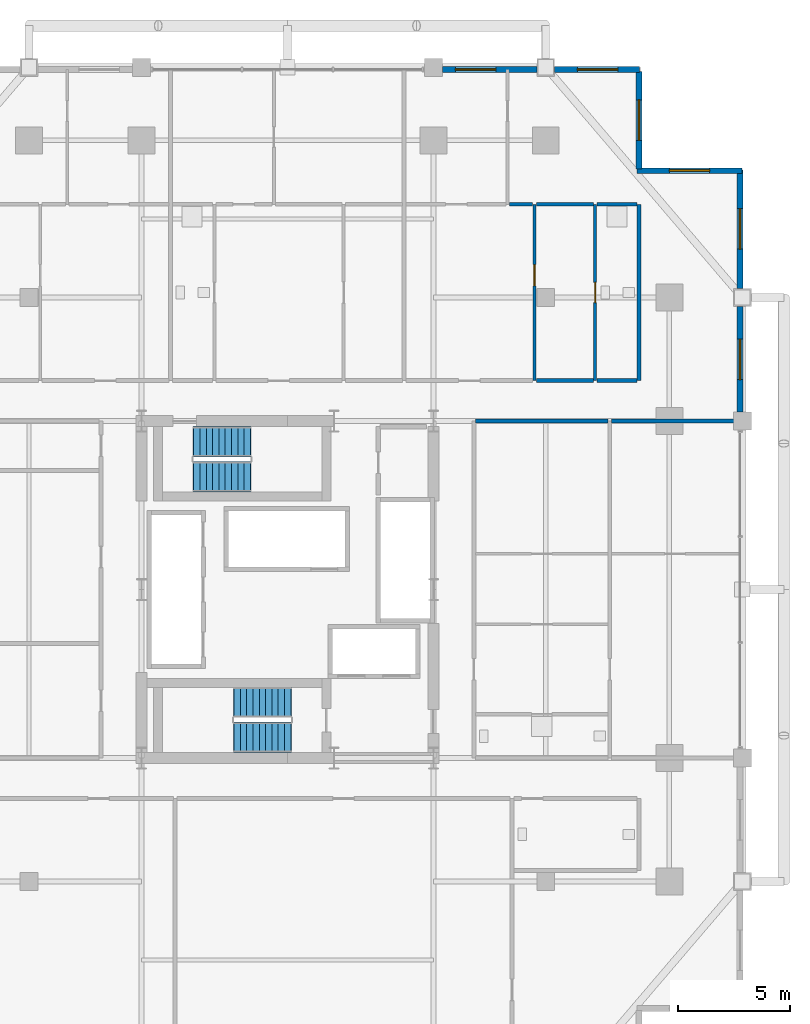
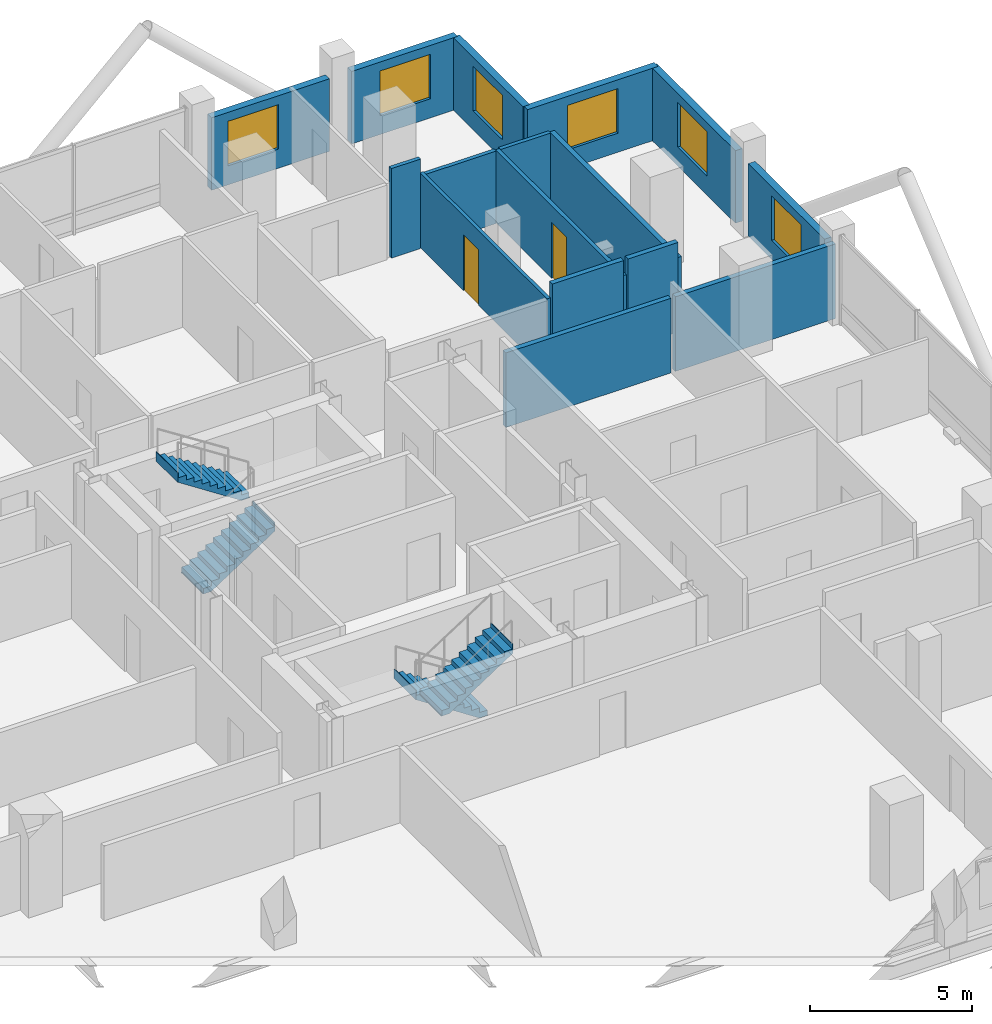
# One storey, part 22 of 24: 16 walls, 6 windows, 4 stair flights, 2 doors, 8 openings, 2 elements without a shape of their own.
"""IFC4 building model written with IfcOpenShell, lengths in metres."""

import ifcopenshell
import ifcopenshell.guid

model = None  # the IFC model being written
_history = None  # IfcOwnerHistory: only IFC2X3 demands one
_inside = {}  # id of a spatial element -> (the spatial element, [elements in it])
_under = {}  # id of a project, library or spatial element -> (it, [spatial elements below it])
_declared = {}  # id of a project -> (the project, [libraries it declares])
_typed = {}  # id of a type object -> (the type object, [elements of that type])
_made_of = {}  # id of a material, layer set ... -> (it, [elements and type objects made of it])


def new_model(schema):
    """Start an empty IFC model of exactly this schema.

    Asked for "IFC4X3", IfcOpenShell would pick the latest addendum, in which some entities
    have other attributes; the version numbers below select the first issue.
    IFC2X3 requires an IfcOwnerHistory on every rooted entity: one is made here for all.
    """
    global model, _history
    if schema == "IFC4X3":
        model = ifcopenshell.file(schema_version=(4, 3, 0, 0))
    else:
        model = ifcopenshell.file(schema=schema)
    _inside.clear()
    _under.clear()
    _declared.clear()
    _typed.clear()
    _made_of.clear()
    _history = None
    if model.schema == "IFC2X3":
        org = make("IfcOrganization", Name="unknown")
        user = make(
            "IfcPersonAndOrganization",
            ThePerson=make("IfcPerson", FamilyName="unknown"),
            TheOrganization=org,
        )
        app = make(
            "IfcApplication",
            ApplicationDeveloper=org,
            Version="unknown",
            ApplicationFullName="unknown",
            ApplicationIdentifier="unknown",
        )
        _history = make(
            "IfcOwnerHistory",
            OwningUser=user,
            OwningApplication=app,
            ChangeAction="ADDED",
            CreationDate=0,
        )
    return model


def make(cls, **values):
    """One entity of the class cls with the attributes given. An attribute that is None is left unset."""
    return model.create_entity(
        cls, **{name: value for name, value in values.items() if value is not None}
    )


def rooted(cls, **values):
    """An entity with a GlobalId (a new one), such as an element, a storey or a relation."""
    return make(cls, GlobalId=ifcopenshell.guid.new(), OwnerHistory=_history, **values)


def si_unit(unit_type, name, prefix=None):
    """IfcSIUnit, for example si_unit("LENGTHUNIT", "METRE", prefix="MILLI")."""
    return make("IfcSIUnit", UnitType=unit_type, Prefix=prefix, Name=name)


def assignment(units):
    """IfcUnitAssignment: the units of a project."""
    return None if units is None else make("IfcUnitAssignment", Units=units)


def point(xyz):
    """IfcCartesianPoint."""
    return None if xyz is None else make("IfcCartesianPoint", Coordinates=xyz)


def direction(xyz):
    """IfcDirection."""
    return None if xyz is None else make("IfcDirection", DirectionRatios=xyz)


def frame(location, z_axis=None, x_axis=None):
    """IfcAxis2Placement3D, a coordinate frame: its origin and axes. An axis left out is left unset."""
    return make(
        "IfcAxis2Placement3D",
        Location=point(location),
        Axis=direction(z_axis),
        RefDirection=direction(x_axis),
    )


def frame_2d(location, x_axis=None):
    """IfcAxis2Placement2D, a coordinate frame in the plane: its origin and x axis."""
    return make(
        "IfcAxis2Placement2D", Location=point(location), RefDirection=direction(x_axis)
    )


def origin():
    """The frame at (0, 0, 0) with its axes left unset."""
    return frame((0.0, 0.0, 0.0))


def place(relative_to, where):
    """IfcLocalPlacement: puts the frame where relative to a parent placement (None: the world)."""
    return make(
        "IfcLocalPlacement", PlacementRelTo=relative_to, RelativePlacement=where
    )


def context(
    kind, dimensions, precision=None, world=None, true_north=None, identifier=None
):
    """IfcGeometricRepresentationContext, for example the 3D "Model" context."""
    return make(
        "IfcGeometricRepresentationContext",
        ContextIdentifier=identifier,
        ContextType=kind,
        CoordinateSpaceDimension=dimensions,
        Precision=precision,
        WorldCoordinateSystem=world,
        TrueNorth=true_north,
    )


def subcontext(parent, identifier, kind, view, scale=None):
    """IfcGeometricRepresentationSubContext, for example "Body" below "Model"."""
    return make(
        "IfcGeometricRepresentationSubContext",
        ContextIdentifier=identifier,
        ContextType=kind,
        ParentContext=parent,
        TargetScale=scale,
        TargetView=view,
    )


def project(units=None, contexts=None):
    """IfcProject with its units and contexts."""
    return rooted(
        "IfcProject",
        Name="project",
        RepresentationContexts=contexts,
        UnitsInContext=assignment(units),
    )


def spatial(cls, under=None, at=None, **own):
    """A site, building, storey or space (cls), placed at a placement, below another one or the project."""
    s = rooted(cls, ObjectPlacement=at, **own)
    if under is not None:
        _under.setdefault(under.id(), (under, []))[1].append(s)
    return s


def polyline(points):
    """IfcPolyline through the points."""
    return make("IfcPolyline", Points=[point(p) for p in points])


def profile(cls, at=None, kind="AREA", **sizes):
    """A parametric profile (cls). Its sizes go by their IFC names, for example OverallWidth=200.0."""
    return make(cls, ProfileType=kind, Position=at, **sizes)


def rectangle(**sizes):
    """IfcRectangleProfileDef."""
    return profile("IfcRectangleProfileDef", **sizes)


def outline(outer, holes=None, kind="AREA"):
    """IfcArbitraryClosedProfileDef: a profile drawn as a closed curve; with holes, ...WithVoids."""
    if holes is None:
        return make("IfcArbitraryClosedProfileDef", ProfileType=kind, OuterCurve=outer)
    return make(
        "IfcArbitraryProfileDefWithVoids",
        ProfileType=kind,
        OuterCurve=outer,
        InnerCurves=holes,
    )


def extrude(swept, where, along, depth):
    """IfcExtrudedAreaSolid: the profile swept, set in the frame where, extruded along a direction by depth."""
    return make(
        "IfcExtrudedAreaSolid",
        SweptArea=swept,
        Position=where,
        ExtrudedDirection=direction(along),
        Depth=depth,
    )


def shape(context_of_items, identifier, shape_type, items):
    """IfcShapeRepresentation: the items that make up one representation, for example the "Body"."""
    return make(
        "IfcShapeRepresentation",
        ContextOfItems=context_of_items,
        RepresentationIdentifier=identifier,
        RepresentationType=shape_type,
        Items=items,
    )


def material(Name=None, Category=None):
    """IfcMaterial."""
    return make("IfcMaterial", Name=Name, Category=Category)


def layer(
    of_material, thickness, ventilated=None, Name=None, Category=None, Priority=None
):
    """IfcMaterialLayer: one layer of a wall or slab, of a material (None: an air gap)."""
    return make(
        "IfcMaterialLayer",
        Material=of_material,
        LayerThickness=thickness,
        IsVentilated=ventilated,
        Name=Name,
        Category=Category,
        Priority=Priority,
    )


def layer_set(layers, Name=None):
    """IfcMaterialLayerSet."""
    return make("IfcMaterialLayerSet", MaterialLayers=layers, LayerSetName=Name)


def made_of(thing, what):
    """Note that an element or type object is made of a material, layer set ...; save() writes the relation."""
    if what is not None:
        _made_of.setdefault(what.id(), (what, []))[1].append(thing)
    return thing


def type_object(cls, material=None, **own):
    """A type object (cls), such as IfcWallType, which elements share."""
    return made_of(rooted(cls, **own), material)


def element(
    cls,
    number,
    at=None,
    inside=None,
    cuts=None,
    type_object=None,
    material=None,
    context=None,
    identifier="Body",
    shape_type=None,
    held_by="IfcProductDefinitionShape",
    body=None,
    shapes=None,
    **own,
):
    """One element of the class cls, such as IfcWall. Its Tag is "e" and its number.

    at: its placement. inside: the storey or other place that contains it. cuts: it is an
    opening in that element (IfcRelVoidsElement). A single representation is given by context,
    identifier, shape_type and body (its items); several are given by shapes. held_by: the class
    of the entity that holds the representations. save() writes the other relations.
    """
    e = rooted(cls, Tag="e%d" % number, ObjectPlacement=at, **own)
    if body is not None:
        shapes = [shape(context, identifier, shape_type, body)]
    if shapes is not None:
        e.Representation = make(held_by, Representations=shapes)
    if inside is not None:
        _inside.setdefault(inside.id(), (inside, []))[1].append(e)
    if cuts is not None:
        rooted(
            "IfcRelVoidsElement", RelatingBuildingElement=cuts, RelatedOpeningElement=e
        )
    if type_object is not None:
        _typed.setdefault(type_object.id(), (type_object, []))[1].append(e)
    return made_of(e, material)


def fill(opening, filler):
    """IfcRelFillsElement: the door or window that sits in an opening."""
    return rooted(
        "IfcRelFillsElement",
        RelatingOpeningElement=opening,
        RelatedBuildingElement=filler,
    )


def aggregate(whole, parts):
    """IfcRelAggregates: a whole, such as a stair, and the parts it consists of."""
    return rooted("IfcRelAggregates", RelatingObject=whole, RelatedObjects=parts)


def save(model, path):
    """Write the relations noted so far, then the file.

    IfcRelAggregates (storeys below a building ...), IfcRelContainedInSpatialStructure (elements
    in a storey), IfcRelDefinesByType, IfcRelAssociatesMaterial and IfcRelDeclares: one each for
    every whole, place, type object, material and project.
    """
    for whole, parts in _under.values():
        aggregate(whole, parts)
    for where, things in _inside.values():
        rooted(
            "IfcRelContainedInSpatialStructure",
            RelatedElements=things,
            RelatingStructure=where,
        )
    for kind, things in _typed.values():
        rooted("IfcRelDefinesByType", RelatedObjects=things, RelatingType=kind)
    for what, things in _made_of.values():
        rooted("IfcRelAssociatesMaterial", RelatedObjects=things, RelatingMaterial=what)
    for by, libraries in _declared.values():
        rooted("IfcRelDeclares", RelatingContext=by, RelatedDefinitions=libraries)
    model.write(path)


model = new_model("IFC4")

# Units and contexts
model_context = context("Model", 3, precision=1e-05, world=origin(), true_north=direction((0.0, 1.0)))
body_context = subcontext(model_context, "Body", "Model", "MODEL_VIEW")
ifc_project = project(units=[si_unit("LENGTHUNIT", "METRE"), si_unit("AREAUNIT", "SQUARE_METRE"), si_unit("VOLUMEUNIT", "CUBIC_METRE"), si_unit("PLANEANGLEUNIT", "RADIAN"), si_unit("MASSUNIT", "GRAM", prefix="KILO")], contexts=[model_context])

# Site, building, storey
site_placement = place(None, origin())
site = spatial("IfcSite", under=ifc_project, at=site_placement, CompositionType="ELEMENT")
building_placement = place(site_placement, origin())
building = spatial("IfcBuilding", under=site, at=building_placement, Name="Barlavira Tower and Art Museum", CompositionType="ELEMENT")
storey_placement = place(building_placement, frame((0.0, 0.0, 109.800048828125)))
storey = spatial("IfcBuildingStorey", under=building, at=storey_placement, Name="L27", CompositionType="ELEMENT", Elevation=109.800048828125)

# Wall, opening, door
ifc_material_1 = material(Name="Gypsum acoustic stud partition", Category="gypsum")
ifc_layer_1 = layer(ifc_material_1, 0.1201171875, Name="Gypsum acoustic stud partition")
ifc_layer_set_1 = layer_set([ifc_layer_1], Name="Gypsum acoustic stud partition")
wall_type_1 = type_object("IfcWallType", Name="Apartment Internal Acoustic Partition 120", PredefinedType="PARTITIONING", material=ifc_layer_set_1)
wall_1_placement = place(storey_placement, frame((11.0, 9.300048828125, 0.0), z_axis=(0.0, 0.0, 1.0), x_axis=(0.0, 1.0, 0.0)))
wall_1 = element("IfcWall", 1, at=wall_1_placement, inside=storey, type_object=wall_type_1, Name="L27 Partition Wall 16", PredefinedType="PARTITIONING", context=body_context, shape_type="SweptSolid", body=[
    extrude(rectangle(XDim=7.849853515625, YDim=0.1201171875, at=frame_2d((3.9248046875, 0.0))), origin(), (0.0, 0.0, 1.0), 2.81591796875),
])
opening_1_placement = place(wall_1_placement, frame((4.218505859375, 0.0, 0.0)))
opening_1 = element("IfcOpeningElement", 2, at=opening_1_placement, cuts=wall_1, Name="Opening D-02", PredefinedType="OPENING", context=body_context, shape_type="SweptSolid", body=[
    extrude(rectangle(XDim=0.949951171875, YDim=2.10009765625, at=frame_2d((0.47509765625, 1.050048828125))), frame((0.0, 0.070068359375, 0.0), z_axis=(0.0, -1.0, 0.0), x_axis=(1.0, 0.0, 0.0)), (0.0, 0.0, 1.0), 0.14013671875),
])
ifc_material_2 = material(Name="Engineered coastal hardwood", Category="wood")
door_type_1 = type_object("IfcDoorType", Name="Living and Salon Glazed-Leaf Door 950x2100", OperationType="NOTDEFINED", PredefinedType="DOOR", material=ifc_material_2)
door_1_placement = place(opening_1_placement, origin())
door_1 = element("IfcDoor", 3, at=door_1_placement, inside=storey, type_object=door_type_1, Name="Apartment N3 Kitchen Door", OperationType="SINGLE_SWING_RIGHT", OverallHeight=2.10009765625, OverallWidth=0.949951171875, PredefinedType="DOOR", context=body_context, shape_type="SweptSolid", body=[
    extrude(rectangle(XDim=0.949951171875, YDim=2.10009765625, at=frame_2d((0.47509765625, 1.050048828125))), frame((0.0, 0.02490234375, 0.0), z_axis=(0.0, -1.0, 0.0), x_axis=(1.0, 0.0, 0.0)), (0.0, 0.0, 1.0), 0.050048828125),
])
fill(opening_1, door_1)

# Walls
ifc_layer_2 = layer(ifc_material_1, 0.179931640625, Name="Gypsum acoustic stud partition")
ifc_layer_set_2 = layer_set([ifc_layer_2], Name="Gypsum acoustic stud partition")
wall_type_2 = type_object("IfcWallType", Name="Inter-Tenancy Party Partition Wall 180", PredefinedType="PARTITIONING", material=ifc_layer_set_2)
wall_2_placement = place(storey_placement, frame((15.64990234375, 9.300048828125, 0.0), z_axis=(0.0, 0.0, 1.0), x_axis=(0.0, 1.0, 0.0)))
element("IfcWall", 4, at=wall_2_placement, inside=storey, type_object=wall_type_2, Name="L27 Partition Wall 20", PredefinedType="PARTITIONING", context=body_context, shape_type="SweptSolid", body=[
    extrude(rectangle(XDim=7.849853515625, YDim=0.179931640625, at=frame_2d((3.9248046875, 0.0))), origin(), (0.0, 0.0, 1.0), 2.73583984375),
])
wall_3_placement = place(storey_placement, frame((8.3798828125, 7.5, 0.0), z_axis=(0.0, 0.0, 1.0), x_axis=(1.0, 0.0, 0.0)))
element("IfcWall", 5, at=wall_3_placement, inside=storey, type_object=wall_type_2, Name="L27 Partition Wall 36", PredefinedType="PARTITIONING", context=body_context, shape_type="SweptSolid", body=[
    extrude(rectangle(XDim=5.89013671875, YDim=0.179931640625, at=frame_2d((2.945068359375, 0.0))), origin(), (0.0, 0.0, 1.0), 2.81591796875),
])
wall_4_placement = place(storey_placement, frame((14.429931640625, 7.5, 0.0), z_axis=(0.0, 0.0, 1.0), x_axis=(1.0, 0.0, 0.0)))
element("IfcWall", 6, at=wall_4_placement, inside=storey, type_object=wall_type_2, Name="L27 Partition Wall 37", PredefinedType="PARTITIONING", context=body_context, shape_type="SweptSolid", body=[
    extrude(rectangle(XDim=5.719970703125, YDim=0.179931640625, at=frame_2d((2.85986328125, 0.0))), origin(), (0.0, 0.0, 1.0), 2.81591796875),
])
wall_5_placement = place(storey_placement, frame((11.080078125, 9.300048828125, 0.0), z_axis=(0.0, 0.0, 1.0), x_axis=(1.0, 0.0, 0.0)))
element("IfcWall", 7, at=wall_5_placement, inside=storey, type_object=wall_type_2, Name="L27 Partition Wall 45", PredefinedType="PARTITIONING", context=body_context, shape_type="SweptSolid", body=[
    extrude(rectangle(XDim=2.5400390625, YDim=0.179931640625, at=frame_2d((1.27001953125, 0.0))), origin(), (0.0, 0.0, 1.0), 3.3798828125),
])
wall_6_placement = place(storey_placement, frame((13.780029296875, 9.300048828125, 0.0), z_axis=(0.0, 0.0, 1.0), x_axis=(1.0, 0.0, 0.0)))
element("IfcWall", 8, at=wall_6_placement, inside=storey, type_object=wall_type_2, Name="L27 Partition Wall 46", PredefinedType="PARTITIONING", context=body_context, shape_type="SweptSolid", body=[
    extrude(rectangle(XDim=1.7900390625, YDim=0.179931640625, at=frame_2d((0.89501953125, 0.0))), origin(), (0.0, 0.0, 1.0), 3.3798828125),
])

# Wall, opening, door
ifc_layer_3 = layer(ifc_material_1, 0.139892578125, Name="Gypsum acoustic stud partition")
ifc_layer_set_3 = layer_set([ifc_layer_3], Name="Gypsum acoustic stud partition")
wall_type_3 = type_object("IfcWallType", Name="Moisture-Resistant Bathroom Partition 140", PredefinedType="PARTITIONING", material=ifc_layer_set_3)
wall_7_placement = place(storey_placement, frame((13.699951171875, 9.300048828125, 0.0), z_axis=(0.0, 0.0, 1.0), x_axis=(0.0, 1.0, 0.0)))
wall_7 = element("IfcWall", 9, at=wall_7_placement, inside=storey, type_object=wall_type_3, Name="L27 Partition Wall 17", PredefinedType="PARTITIONING", context=body_context, shape_type="SweptSolid", body=[
    extrude(rectangle(XDim=7.849853515625, YDim=0.139892578125, at=frame_2d((3.9248046875, 0.0))), origin(), (0.0, 0.0, 1.0), 2.73583984375),
])
opening_2_placement = place(wall_7_placement, frame((3.469970703125, 0.0, 0.0)))
opening_2 = element("IfcOpeningElement", 10, at=opening_2_placement, cuts=wall_7, Name="Opening D-WC", PredefinedType="OPENING", context=body_context, shape_type="SweptSolid", body=[
    extrude(rectangle(XDim=0.89990234375, YDim=2.10009765625, at=frame_2d((0.449951171875, 1.050048828125))), frame((0.0, 0.080078125, 0.0), z_axis=(0.0, -1.0, 0.0), x_axis=(1.0, 0.0, 0.0)), (0.0, 0.0, 1.0), 0.159912109375),
])
door_type_2 = type_object("IfcDoorType", Name="Accessible Bathroom Flush Door 900x2100", OperationType="NOTDEFINED", PredefinedType="DOOR", material=ifc_material_2)
door_2_placement = place(opening_2_placement, origin())
door_2 = element("IfcDoor", 11, at=door_2_placement, inside=storey, type_object=door_type_2, Name="Apartment N3 Hall Bathroom Door", OperationType="SINGLE_SWING_LEFT", OverallHeight=2.10009765625, OverallWidth=0.89990234375, PredefinedType="DOOR", context=body_context, shape_type="SweptSolid", body=[
    extrude(rectangle(XDim=0.89990234375, YDim=2.10009765625, at=frame_2d((0.449951171875, 1.050048828125))), frame((0.0, 0.02490234375, 0.0), z_axis=(0.0, -1.0, 0.0), x_axis=(1.0, 0.0, 0.0)), (0.0, 0.0, 1.0), 0.050048828125),
])
fill(opening_2, door_2)

# Walls
wall_8_placement = place(storey_placement, frame((9.8798828125, 17.14990234375, 0.0), z_axis=(0.0, 0.0, 1.0), x_axis=(1.0, 0.0, 0.0)))
element("IfcWall", 12, at=wall_8_placement, inside=storey, type_object=wall_type_3, Name="L27 Partition Wall 56", PredefinedType="PARTITIONING", context=body_context, shape_type="SweptSolid", body=[
    extrude(rectangle(XDim=1.0400390625, YDim=0.139892578125, at=frame_2d((0.52001953125, 0.0))), origin(), (0.0, 0.0, 1.0), 3.3798828125),
])
wall_9_placement = place(storey_placement, frame((11.080078125, 17.14990234375, 0.0), z_axis=(0.0, 0.0, 1.0), x_axis=(1.0, 0.0, 0.0)))
element("IfcWall", 13, at=wall_9_placement, inside=storey, type_object=wall_type_3, Name="L27 Partition Wall 57", PredefinedType="PARTITIONING", context=body_context, shape_type="SweptSolid", body=[
    extrude(rectangle(XDim=2.5400390625, YDim=0.139892578125, at=frame_2d((1.27001953125, 0.0))), origin(), (0.0, 0.0, 1.0), 2.73583984375),
])
wall_10_placement = place(storey_placement, frame((13.780029296875, 17.14990234375, 0.0), z_axis=(0.0, 0.0, 1.0), x_axis=(1.0, 0.0, 0.0)))
element("IfcWall", 14, at=wall_10_placement, inside=storey, type_object=wall_type_3, Name="L27 Partition Wall 58", PredefinedType="PARTITIONING", context=body_context, shape_type="SweptSolid", body=[
    extrude(rectangle(XDim=1.7900390625, YDim=0.139892578125, at=frame_2d((0.89501953125, 0.0))), origin(), (0.0, 0.0, 1.0), 2.73583984375),
])

# Wall, opening, window
ifc_material_3 = material(Name="Precast concrete C40", Category="concrete")
ifc_layer_4 = layer(ifc_material_3, 0.25, Name="Precast concrete C40")
ifc_layer_set_4 = layer_set([ifc_layer_4], Name="Precast concrete C40")
wall_type_4 = type_object("IfcWallType", Name="Notched Corner Spandrel Wall 250 Precast Concrete C40", PredefinedType="SOLIDWALL", material=ifc_layer_set_4)
wall_11_placement = place(storey_placement, frame((15.675048828125, 23.14990234375, 0.0), z_axis=(0.0, 0.0, 1.0), x_axis=(-1.0, 0.0, 0.0)))
wall_11 = element("IfcWall", 15, at=wall_11_placement, inside=storey, type_object=wall_type_4, Name="L27 Coastal Facade Pier Wall CW2-L27-N-1", PredefinedType="SOLIDWALL", context=body_context, shape_type="SweptSolid", body=[
    extrude(rectangle(XDim=3.780029296875, YDim=0.25, at=frame_2d((1.89013671875, 0.0))), origin(), (0.0, 0.0, 1.0), 2.73583984375),
])
opening_3_placement = place(wall_11_placement, frame((0.968017578125, 0.0, 0.719970703125)))
opening_3 = element("IfcOpeningElement", 16, at=opening_3_placement, cuts=wall_11, Name="Opening WN-01", PredefinedType="OPENING", context=body_context, shape_type="SweptSolid", body=[
    extrude(rectangle(XDim=1.800048828125, YDim=1.679931640625, at=frame_2d((0.89990234375, 0.83984375))), frame((0.0, 0.135009765625, 0.0), z_axis=(0.0, -1.0, 0.0), x_axis=(1.0, 0.0, 0.0)), (0.0, 0.0, 1.0), 0.27001953125),
])
ifc_material_4 = material(Name="Low-iron coastal laminated glass", Category="glass")
window_type = type_object("IfcWindowType", Name="Recessed Notch Corner Punch Window 1800x1680", PartitioningType="SINGLE_PANEL", PredefinedType="WINDOW", material=ifc_material_4)
window_1_placement = place(opening_3_placement, origin())
window_1 = element("IfcWindow", 17, at=window_1_placement, inside=storey, type_object=window_type, Name="L27 Punched Facade Window EWP-CW2-L27-N-1-1", OverallHeight=1.679931640625, OverallWidth=1.800048828125, PartitioningType="SINGLE_PANEL", PredefinedType="WINDOW", context=body_context, shape_type="SweptSolid", body=[
    extrude(rectangle(XDim=1.800048828125, YDim=1.679931640625, at=frame_2d((0.89990234375, 0.83984375))), frame((0.0, 0.030029296875, 0.0), z_axis=(0.0, -1.0, 0.0), x_axis=(1.0, 0.0, 0.0)), (0.0, 0.0, 1.0), 0.06005859375),
])
fill(opening_3, window_1)

wall_12_placement = place(storey_placement, frame((11.10498046875, 23.14990234375, 0.0), z_axis=(0.0, 0.0, 1.0), x_axis=(-1.0, 0.0, 0.0)))
wall_12 = element("IfcWall", 18, at=wall_12_placement, inside=storey, type_object=wall_type_4, Name="L27 Coastal Facade Pier Wall CW2-L27-N-2", PredefinedType="SOLIDWALL", context=body_context, shape_type="SweptSolid", body=[
    extrude(rectangle(XDim=4.2099609375, YDim=0.25, at=frame_2d((2.10498046875, 0.0))), origin(), (0.0, 0.0, 1.0), 2.73583984375),
])
opening_4_placement = place(wall_12_placement, frame((1.824951171875, 0.0, 0.719970703125)))
opening_4 = element("IfcOpeningElement", 19, at=opening_4_placement, cuts=wall_12, Name="Opening WN-01", PredefinedType="OPENING", context=body_context, shape_type="SweptSolid", body=[
    extrude(rectangle(XDim=1.800048828125, YDim=1.679931640625, at=frame_2d((0.89990234375, 0.83984375))), frame((0.0, 0.135009765625, 0.0), z_axis=(0.0, -1.0, 0.0), x_axis=(1.0, 0.0, 0.0)), (0.0, 0.0, 1.0), 0.27001953125),
])
window_2_placement = place(opening_4_placement, origin())
window_2 = element("IfcWindow", 20, at=window_2_placement, inside=storey, type_object=window_type, Name="L27 Punched Facade Window EWP-CW2-L27-N-2-1", OverallHeight=1.679931640625, OverallWidth=1.800048828125, PartitioningType="SINGLE_PANEL", PredefinedType="WINDOW", context=body_context, shape_type="SweptSolid", body=[
    extrude(rectangle(XDim=1.800048828125, YDim=1.679931640625, at=frame_2d((0.89990234375, 0.83984375))), frame((0.0, 0.030029296875, 0.0), z_axis=(0.0, -1.0, 0.0), x_axis=(1.0, 0.0, 0.0)), (0.0, 0.0, 1.0), 0.06005859375),
])
fill(opening_4, window_2)

wall_13_placement = place(storey_placement, frame((20.14990234375, 7.89501953125, 0.0), z_axis=(0.0, 0.0, 1.0), x_axis=(0.0, 1.0, 0.0)))
wall_13 = element("IfcWall", 21, at=wall_13_placement, inside=storey, type_object=wall_type_4, Name="L27 Coastal Facade Pier Wall CW2-L27-E-4", PredefinedType="SOLIDWALL", context=body_context, shape_type="SweptSolid", body=[
    extrude(rectangle(XDim=4.7099609375, YDim=0.25, at=frame_2d((2.35498046875, 0.0))), origin(), (0.0, 0.0, 1.0), 2.73583984375),
])
opening_5_placement = place(wall_13_placement, frame((1.455078125, 0.0, 0.719970703125)))
opening_5 = element("IfcOpeningElement", 22, at=opening_5_placement, cuts=wall_13, Name="Opening WN-01", PredefinedType="OPENING", context=body_context, shape_type="SweptSolid", body=[
    extrude(rectangle(XDim=1.800048828125, YDim=1.679931640625, at=frame_2d((0.89990234375, 0.83984375))), frame((0.0, 0.135009765625, 0.0), z_axis=(0.0, -1.0, 0.0), x_axis=(1.0, 0.0, 0.0)), (0.0, 0.0, 1.0), 0.27001953125),
])
window_3_placement = place(opening_5_placement, origin())
window_3 = element("IfcWindow", 23, at=window_3_placement, inside=storey, type_object=window_type, Name="L27 Punched Facade Window EWP-CW2-L27-E-4-1", OverallHeight=1.679931640625, OverallWidth=1.800048828125, PartitioningType="SINGLE_PANEL", PredefinedType="WINDOW", context=body_context, shape_type="SweptSolid", body=[
    extrude(rectangle(XDim=1.800048828125, YDim=1.679931640625, at=frame_2d((0.89990234375, 0.83984375))), frame((0.0, 0.030029296875, 0.0), z_axis=(0.0, -1.0, 0.0), x_axis=(1.0, 0.0, 0.0)), (0.0, 0.0, 1.0), 0.06005859375),
])
fill(opening_5, window_3)

wall_14_placement = place(storey_placement, frame((20.14990234375, 13.39501953125, 0.0), z_axis=(0.0, 0.0, 1.0), x_axis=(0.0, 1.0, 0.0)))
wall_14 = element("IfcWall", 24, at=wall_14_placement, inside=storey, type_object=wall_type_4, Name="L27 Coastal Facade Pier Wall CW2-L27-E-5", PredefinedType="SOLIDWALL", context=body_context, shape_type="SweptSolid", body=[
    extrude(rectangle(XDim=5.280029296875, YDim=0.25, at=frame_2d((2.64013671875, 0.0))), origin(), (0.0, 0.0, 1.0), 2.73583984375),
])
opening_6_placement = place(wall_14_placement, frame((1.762939453125, 0.0, 0.719970703125)))
opening_6 = element("IfcOpeningElement", 25, at=opening_6_placement, cuts=wall_14, Name="Opening WN-01", PredefinedType="OPENING", context=body_context, shape_type="SweptSolid", body=[
    extrude(rectangle(XDim=1.800048828125, YDim=1.679931640625, at=frame_2d((0.89990234375, 0.83984375))), frame((0.0, 0.135009765625, 0.0), z_axis=(0.0, -1.0, 0.0), x_axis=(1.0, 0.0, 0.0)), (0.0, 0.0, 1.0), 0.27001953125),
])
window_4_placement = place(opening_6_placement, origin())
window_4 = element("IfcWindow", 26, at=window_4_placement, inside=storey, type_object=window_type, Name="L27 Punched Facade Window EWP-CW2-L27-E-5-1", OverallHeight=1.679931640625, OverallWidth=1.800048828125, PartitioningType="SINGLE_PANEL", PredefinedType="WINDOW", context=body_context, shape_type="SweptSolid", body=[
    extrude(rectangle(XDim=1.800048828125, YDim=1.679931640625, at=frame_2d((0.89990234375, 0.83984375))), frame((0.0, 0.030029296875, 0.0), z_axis=(0.0, -1.0, 0.0), x_axis=(1.0, 0.0, 0.0)), (0.0, 0.0, 1.0), 0.06005859375),
])
fill(opening_6, window_4)

wall_15_placement = place(storey_placement, frame((20.22998046875, 18.64990234375, 0.0), z_axis=(0.0, 0.0, 1.0), x_axis=(-1.0, 0.0, 0.0)))
wall_15 = element("IfcWall", 27, at=wall_15_placement, inside=storey, type_object=wall_type_4, Name="L27 Notch Corner Wall NE1", PredefinedType="SOLIDWALL", context=body_context, shape_type="SweptSolid", body=[
    extrude(rectangle(XDim=4.659912109375, YDim=0.25, at=frame_2d((2.330078125, 0.0))), origin(), (0.0, 0.0, 1.0), 2.73583984375),
])
opening_7_placement = place(wall_15_placement, frame((1.429931640625, 0.0, 0.719970703125)))
opening_7 = element("IfcOpeningElement", 28, at=opening_7_placement, cuts=wall_15, Name="Opening WN-01", PredefinedType="OPENING", context=body_context, shape_type="SweptSolid", body=[
    extrude(rectangle(XDim=1.800048828125, YDim=1.679931640625, at=frame_2d((0.89990234375, 0.83984375))), frame((0.0, 0.135009765625, 0.0), z_axis=(0.0, -1.0, 0.0), x_axis=(1.0, 0.0, 0.0)), (0.0, 0.0, 1.0), 0.27001953125),
])
window_5_placement = place(opening_7_placement, origin())
window_5 = element("IfcWindow", 29, at=window_5_placement, inside=storey, type_object=window_type, Name="L27 Punched Facade Window EW-NTC-L27-NE1-1", OverallHeight=1.679931640625, OverallWidth=1.800048828125, PartitioningType="SINGLE_PANEL", PredefinedType="WINDOW", context=body_context, shape_type="SweptSolid", body=[
    extrude(rectangle(XDim=1.800048828125, YDim=1.679931640625, at=frame_2d((0.89990234375, 0.83984375))), frame((0.0, 0.030029296875, 0.0), z_axis=(0.0, -1.0, 0.0), x_axis=(1.0, 0.0, 0.0)), (0.0, 0.0, 1.0), 0.06005859375),
])
fill(opening_7, window_5)

wall_16_placement = place(storey_placement, frame((15.64990234375, 18.72998046875, 0.0), z_axis=(0.0, 0.0, 1.0), x_axis=(0.0, 1.0, 0.0)))
wall_16 = element("IfcWall", 30, at=wall_16_placement, inside=storey, type_object=wall_type_4, Name="L27 Notch Corner Wall NE2", PredefinedType="SOLIDWALL", context=body_context, shape_type="SweptSolid", body=[
    extrude(rectangle(XDim=4.340087890625, YDim=0.25, at=frame_2d((2.169921875, 0.0))), origin(), (0.0, 0.0, 1.0), 2.73583984375),
])
opening_8_placement = place(wall_16_placement, frame((1.27001953125, 0.0, 0.719970703125)))
opening_8 = element("IfcOpeningElement", 31, at=opening_8_placement, cuts=wall_16, Name="Opening WN-01", PredefinedType="OPENING", context=body_context, shape_type="SweptSolid", body=[
    extrude(rectangle(XDim=1.800048828125, YDim=1.679931640625, at=frame_2d((0.89990234375, 0.83984375))), frame((0.0, 0.135009765625, 0.0), z_axis=(0.0, -1.0, 0.0), x_axis=(1.0, 0.0, 0.0)), (0.0, 0.0, 1.0), 0.27001953125),
])
window_6_placement = place(opening_8_placement, origin())
window_6 = element("IfcWindow", 32, at=window_6_placement, inside=storey, type_object=window_type, Name="L27 Punched Facade Window EW-NTC-L27-NE2-1", OverallHeight=1.679931640625, OverallWidth=1.800048828125, PartitioningType="SINGLE_PANEL", PredefinedType="WINDOW", context=body_context, shape_type="SweptSolid", body=[
    extrude(rectangle(XDim=1.800048828125, YDim=1.679931640625, at=frame_2d((0.89990234375, 0.83984375))), frame((0.0, 0.030029296875, 0.0), z_axis=(0.0, -1.0, 0.0), x_axis=(1.0, 0.0, 0.0)), (0.0, 0.0, 1.0), 0.06005859375),
])
fill(opening_8, window_6)

# Stair, stair flights
ifc_material_5 = material(Name="Concrete C45", Category="concrete")
stair_type_1 = type_object("IfcStairType", Name="Tower North Dog-Leg Exit Stair Assembly Concrete C45", PredefinedType="TWO_QUARTER_TURN_STAIR", material=ifc_material_5)
stair_1_placement = place(storey_placement, origin())
stair_1 = element("IfcStair", 33, at=stair_1_placement, inside=storey, type_object=stair_type_1, Name="L27 Tower North Exit Stair ST-T2", PredefinedType="TWO_QUARTER_TURN_STAIR")
ifc_material_6 = material(Name="Precast concrete C45", Category="concrete")
stair_flight_type_1 = type_object("IfcStairFlightType", Name="Tower North Dog-Leg Exit Stair Precast Flight 1350 Concrete C45", PredefinedType="STRAIGHT", material=ifc_material_6)
stair_flight_1_placement = place(storey_placement, frame((-4.169921875, 5.02490234375, 0.0), z_axis=(0.0, 0.0, 1.0), x_axis=(1.0, 0.0, 0.0)))
stair_flight_1 = element("IfcStairFlight", 34, at=stair_flight_1_placement, type_object=stair_flight_type_1, Name="ST-T2 flight 1", NumberOfRisers=10, NumberOfTreads=9, PredefinedType="STRAIGHT", RiserHeight=0.18, TreadLength=0.28, context=body_context, shape_type="SweptSolid", body=[
    extrude(outline(polyline([(-0.02490234375, 0.0), (0.0, 0.0), (0.0, 0.179931640625), (0.280029296875, 0.179931640625), (0.280029296875, 0.360107421875), (0.56005859375, 0.360107421875), (0.56005859375, 0.5400390625), (0.840087890625, 0.5400390625), (0.840087890625, 0.719970703125), (1.1201171875, 0.719970703125), (1.1201171875, 0.89990234375), (1.39990234375, 0.89990234375), (1.39990234375, 1.080078125), (1.679931640625, 1.080078125), (1.679931640625, 1.260009765625), (1.9599609375, 1.260009765625), (1.9599609375, 1.43994140625), (2.239990234375, 1.43994140625), (2.239990234375, 1.6201171875), (2.52001953125, 1.6201171875), (2.52001953125, 1.800048828125), (2.544921875, 1.800048828125), (2.544921875, 1.44189453125), (2.52001953125, 1.44189453125), (0.277099609375, -0.02490234375), (-0.02490234375, -0.02490234375), (-0.02490234375, 0.0)])), frame((0.0, 0.675048828125, 0.0), z_axis=(0.0, -1.0, 0.0), x_axis=(1.0, 0.0, 0.0)), (0.0, 0.0, 1.0), 1.35009765625),
])
stair_flight_2_placement = place(storey_placement, frame((-1.64990234375, 6.574951171875, 1.800048828125), z_axis=(0.0, 0.0, 1.0), x_axis=(-1.0, 0.0, 0.0)))
stair_flight_2 = element("IfcStairFlight", 35, at=stair_flight_2_placement, type_object=stair_flight_type_1, Name="ST-T2 flight 2", NumberOfRisers=10, NumberOfTreads=9, PredefinedType="STRAIGHT", RiserHeight=0.18, TreadLength=0.28, context=body_context, shape_type="SweptSolid", body=[
    extrude(outline(polyline([(-0.02490234375, 0.0), (0.0, 0.0), (0.0, 0.179931640625), (0.280029296875, 0.179931640625), (0.280029296875, 0.360107421875), (0.56005859375, 0.360107421875), (0.56005859375, 0.5400390625), (0.840087890625, 0.5400390625), (0.840087890625, 0.719970703125), (1.1201171875, 0.719970703125), (1.1201171875, 0.89990234375), (1.39990234375, 0.89990234375), (1.39990234375, 1.080078125), (1.679931640625, 1.080078125), (1.679931640625, 1.260009765625), (1.9599609375, 1.260009765625), (1.9599609375, 1.43994140625), (2.239990234375, 1.43994140625), (2.239990234375, 1.6201171875), (2.52001953125, 1.6201171875), (2.52001953125, 1.800048828125), (2.544921875, 1.800048828125), (2.544921875, 1.44189453125), (2.52001953125, 1.44189453125), (0.277099609375, -0.02490234375), (-0.02490234375, -0.02490234375), (-0.02490234375, 0.0)])), frame((0.0, 0.675048828125, 0.0), z_axis=(0.0, -1.0, 0.0), x_axis=(1.0, 0.0, 0.0)), (0.0, 0.0, 1.0), 1.35009765625),
])
aggregate(stair_1, [stair_flight_1, stair_flight_2])

stair_type_2 = type_object("IfcStairType", Name="Tower South Dog-Leg Exit Stair Assembly Concrete C45", PredefinedType="TWO_QUARTER_TURN_STAIR", material=ifc_material_5)
stair_2_placement = place(storey_placement, origin())
stair_2 = element("IfcStair", 36, at=stair_2_placement, inside=storey, type_object=stair_type_2, Name="L27 Tower South Exit Stair ST-T1", PredefinedType="TWO_QUARTER_TURN_STAIR")
stair_flight_type_2 = type_object("IfcStairFlightType", Name="Tower South Dog-Leg Exit Stair Precast Flight 1350 Concrete C45", PredefinedType="STRAIGHT", material=ifc_material_6)
stair_flight_3_placement = place(storey_placement, frame((0.14990234375, -5.02490234375, 0.0), z_axis=(0.0, 0.0, 1.0), x_axis=(-1.0, 0.0, 0.0)))
stair_flight_3 = element("IfcStairFlight", 37, at=stair_flight_3_placement, type_object=stair_flight_type_2, Name="ST-T1 flight 1", NumberOfRisers=10, NumberOfTreads=9, PredefinedType="STRAIGHT", RiserHeight=0.18, TreadLength=0.28, context=body_context, shape_type="SweptSolid", body=[
    extrude(outline(polyline([(-0.02490234375, 0.0), (0.0, 0.0), (0.0, 0.179931640625), (0.280029296875, 0.179931640625), (0.280029296875, 0.360107421875), (0.56005859375, 0.360107421875), (0.56005859375, 0.5400390625), (0.840087890625, 0.5400390625), (0.840087890625, 0.719970703125), (1.1201171875, 0.719970703125), (1.1201171875, 0.89990234375), (1.39990234375, 0.89990234375), (1.39990234375, 1.080078125), (1.679931640625, 1.080078125), (1.679931640625, 1.260009765625), (1.9599609375, 1.260009765625), (1.9599609375, 1.43994140625), (2.239990234375, 1.43994140625), (2.239990234375, 1.6201171875), (2.52001953125, 1.6201171875), (2.52001953125, 1.800048828125), (2.544921875, 1.800048828125), (2.544921875, 1.44189453125), (2.52001953125, 1.44189453125), (0.277099609375, -0.02490234375), (-0.02490234375, -0.02490234375), (-0.02490234375, 0.0)])), frame((0.0, 0.675048828125, 0.0), z_axis=(0.0, -1.0, 0.0), x_axis=(1.0, 0.0, 0.0)), (0.0, 0.0, 1.0), 1.35009765625),
])
stair_flight_4_placement = place(storey_placement, frame((-2.3701171875, -6.574951171875, 1.800048828125), z_axis=(0.0, 0.0, 1.0), x_axis=(1.0, 0.0, 0.0)))
stair_flight_4 = element("IfcStairFlight", 38, at=stair_flight_4_placement, type_object=stair_flight_type_2, Name="ST-T1 flight 2", NumberOfRisers=10, NumberOfTreads=9, PredefinedType="STRAIGHT", RiserHeight=0.18, TreadLength=0.28, context=body_context, shape_type="SweptSolid", body=[
    extrude(outline(polyline([(-0.02490234375, 0.0), (0.0, 0.0), (0.0, 0.179931640625), (0.280029296875, 0.179931640625), (0.280029296875, 0.360107421875), (0.56005859375, 0.360107421875), (0.56005859375, 0.5400390625), (0.840087890625, 0.5400390625), (0.840087890625, 0.719970703125), (1.1201171875, 0.719970703125), (1.1201171875, 0.89990234375), (1.39990234375, 0.89990234375), (1.39990234375, 1.080078125), (1.679931640625, 1.080078125), (1.679931640625, 1.260009765625), (1.9599609375, 1.260009765625), (1.9599609375, 1.43994140625), (2.239990234375, 1.43994140625), (2.239990234375, 1.6201171875), (2.52001953125, 1.6201171875), (2.52001953125, 1.800048828125), (2.544921875, 1.800048828125), (2.544921875, 1.44189453125), (2.52001953125, 1.44189453125), (0.277099609375, -0.02490234375), (-0.02490234375, -0.02490234375), (-0.02490234375, 0.0)])), frame((0.0, 0.675048828125, 0.0), z_axis=(0.0, -1.0, 0.0), x_axis=(1.0, 0.0, 0.0)), (0.0, 0.0, 1.0), 1.35009765625),
])
aggregate(stair_2, [stair_flight_3, stair_flight_4])

save(model, "model.ifc")
